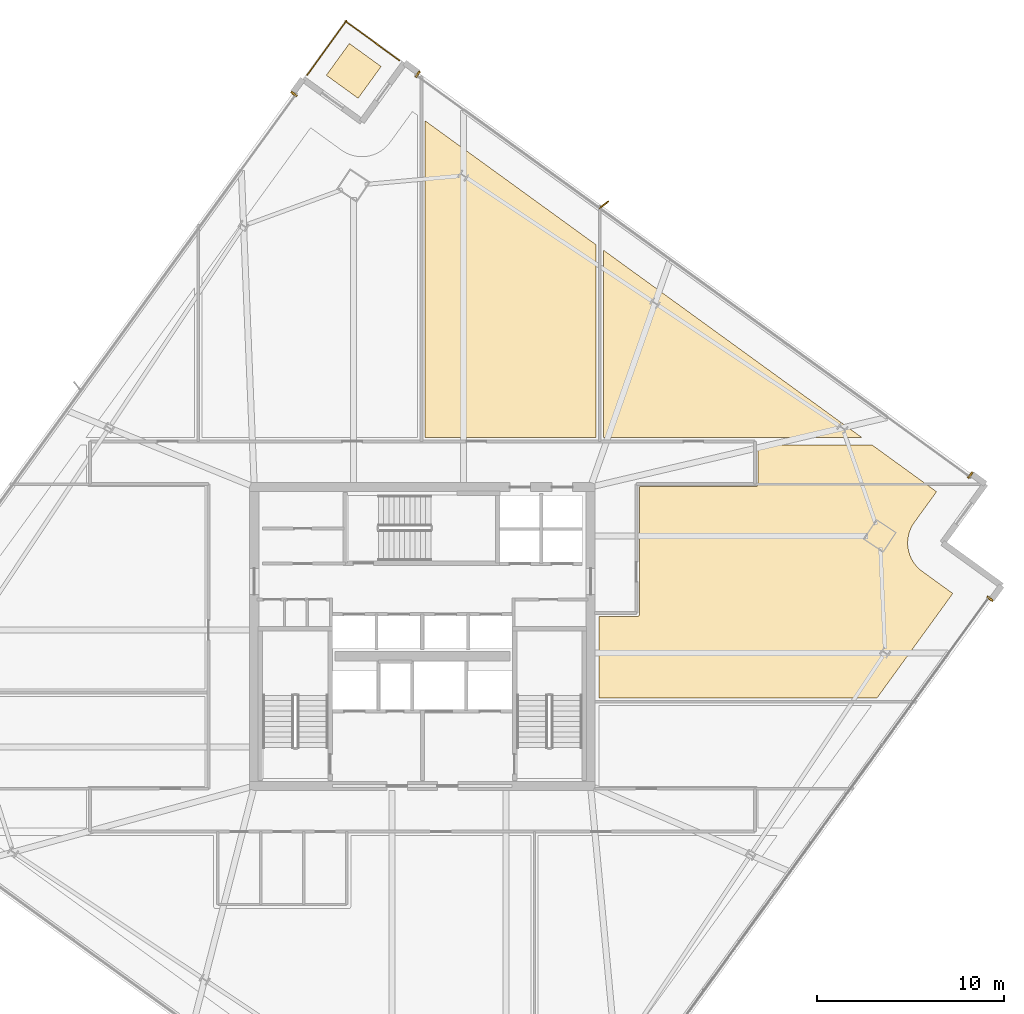
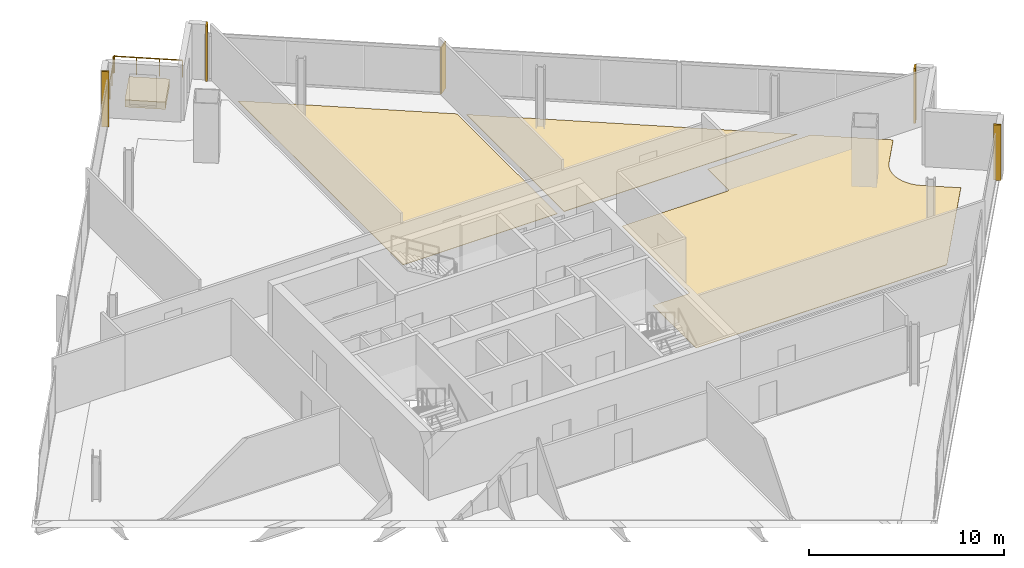
# One storey, part 29 of 29: 8 coverings, 2 railings, 1 shading device.
"""IFC4 building model written with IfcOpenShell, lengths in metres."""

import ifcopenshell
import ifcopenshell.guid

model = None  # the IFC model being written
_history = None  # IfcOwnerHistory: only IFC2X3 demands one
_inside = {}  # id of a spatial element -> (the spatial element, [elements in it])
_under = {}  # id of a project, library or spatial element -> (it, [spatial elements below it])
_declared = {}  # id of a project -> (the project, [libraries it declares])
_typed = {}  # id of a type object -> (the type object, [elements of that type])
_made_of = {}  # id of a material, layer set ... -> (it, [elements and type objects made of it])


def new_model(schema):
    """Start an empty IFC model of exactly this schema.

    Asked for "IFC4X3", IfcOpenShell would pick the latest addendum, in which some entities
    have other attributes; the version numbers below select the first issue.
    IFC2X3 requires an IfcOwnerHistory on every rooted entity: one is made here for all.
    """
    global model, _history
    if schema == "IFC4X3":
        model = ifcopenshell.file(schema_version=(4, 3, 0, 0))
    else:
        model = ifcopenshell.file(schema=schema)
    _inside.clear()
    _under.clear()
    _declared.clear()
    _typed.clear()
    _made_of.clear()
    _history = None
    if model.schema == "IFC2X3":
        org = make("IfcOrganization", Name="unknown")
        user = make(
            "IfcPersonAndOrganization",
            ThePerson=make("IfcPerson", FamilyName="unknown"),
            TheOrganization=org,
        )
        app = make(
            "IfcApplication",
            ApplicationDeveloper=org,
            Version="unknown",
            ApplicationFullName="unknown",
            ApplicationIdentifier="unknown",
        )
        _history = make(
            "IfcOwnerHistory",
            OwningUser=user,
            OwningApplication=app,
            ChangeAction="ADDED",
            CreationDate=0,
        )
    return model


def make(cls, **values):
    """One entity of the class cls with the attributes given. An attribute that is None is left unset."""
    return model.create_entity(
        cls, **{name: value for name, value in values.items() if value is not None}
    )


def rooted(cls, **values):
    """An entity with a GlobalId (a new one), such as an element, a storey or a relation."""
    return make(cls, GlobalId=ifcopenshell.guid.new(), OwnerHistory=_history, **values)


def si_unit(unit_type, name, prefix=None):
    """IfcSIUnit, for example si_unit("LENGTHUNIT", "METRE", prefix="MILLI")."""
    return make("IfcSIUnit", UnitType=unit_type, Prefix=prefix, Name=name)


def assignment(units):
    """IfcUnitAssignment: the units of a project."""
    return None if units is None else make("IfcUnitAssignment", Units=units)


def point(xyz):
    """IfcCartesianPoint."""
    return None if xyz is None else make("IfcCartesianPoint", Coordinates=xyz)


def direction(xyz):
    """IfcDirection."""
    return None if xyz is None else make("IfcDirection", DirectionRatios=xyz)


def frame(location, z_axis=None, x_axis=None):
    """IfcAxis2Placement3D, a coordinate frame: its origin and axes. An axis left out is left unset."""
    return make(
        "IfcAxis2Placement3D",
        Location=point(location),
        Axis=direction(z_axis),
        RefDirection=direction(x_axis),
    )


def frame_2d(location, x_axis=None):
    """IfcAxis2Placement2D, a coordinate frame in the plane: its origin and x axis."""
    return make(
        "IfcAxis2Placement2D", Location=point(location), RefDirection=direction(x_axis)
    )


def origin():
    """The frame at (0, 0, 0) with its axes left unset."""
    return frame((0.0, 0.0, 0.0))


def origin_2d():
    """The frame at (0, 0) in the plane with its x axis left unset."""
    return frame_2d((0.0, 0.0))


def place(relative_to, where):
    """IfcLocalPlacement: puts the frame where relative to a parent placement (None: the world)."""
    return make(
        "IfcLocalPlacement", PlacementRelTo=relative_to, RelativePlacement=where
    )


def context(
    kind, dimensions, precision=None, world=None, true_north=None, identifier=None
):
    """IfcGeometricRepresentationContext, for example the 3D "Model" context."""
    return make(
        "IfcGeometricRepresentationContext",
        ContextIdentifier=identifier,
        ContextType=kind,
        CoordinateSpaceDimension=dimensions,
        Precision=precision,
        WorldCoordinateSystem=world,
        TrueNorth=true_north,
    )


def subcontext(parent, identifier, kind, view, scale=None):
    """IfcGeometricRepresentationSubContext, for example "Body" below "Model"."""
    return make(
        "IfcGeometricRepresentationSubContext",
        ContextIdentifier=identifier,
        ContextType=kind,
        ParentContext=parent,
        TargetScale=scale,
        TargetView=view,
    )


def project(units=None, contexts=None):
    """IfcProject with its units and contexts."""
    return rooted(
        "IfcProject",
        Name="project",
        RepresentationContexts=contexts,
        UnitsInContext=assignment(units),
    )


def spatial(cls, under=None, at=None, **own):
    """A site, building, storey or space (cls), placed at a placement, below another one or the project."""
    s = rooted(cls, ObjectPlacement=at, **own)
    if under is not None:
        _under.setdefault(under.id(), (under, []))[1].append(s)
    return s


def polyline(points):
    """IfcPolyline through the points."""
    return make("IfcPolyline", Points=[point(p) for p in points])


def profile(cls, at=None, kind="AREA", **sizes):
    """A parametric profile (cls). Its sizes go by their IFC names, for example OverallWidth=200.0."""
    return make(cls, ProfileType=kind, Position=at, **sizes)


def rectangle(**sizes):
    """IfcRectangleProfileDef."""
    return profile("IfcRectangleProfileDef", **sizes)


def outline(outer, holes=None, kind="AREA"):
    """IfcArbitraryClosedProfileDef: a profile drawn as a closed curve; with holes, ...WithVoids."""
    if holes is None:
        return make("IfcArbitraryClosedProfileDef", ProfileType=kind, OuterCurve=outer)
    return make(
        "IfcArbitraryProfileDefWithVoids",
        ProfileType=kind,
        OuterCurve=outer,
        InnerCurves=holes,
    )


def extrude(swept, where, along, depth):
    """IfcExtrudedAreaSolid: the profile swept, set in the frame where, extruded along a direction by depth."""
    return make(
        "IfcExtrudedAreaSolid",
        SweptArea=swept,
        Position=where,
        ExtrudedDirection=direction(along),
        Depth=depth,
    )


def shape(context_of_items, identifier, shape_type, items):
    """IfcShapeRepresentation: the items that make up one representation, for example the "Body"."""
    return make(
        "IfcShapeRepresentation",
        ContextOfItems=context_of_items,
        RepresentationIdentifier=identifier,
        RepresentationType=shape_type,
        Items=items,
    )


def source(mapping_origin, context_of_items, identifier, shape_type, items):
    """IfcRepresentationMap: a shape defined once, which mapped items show again and again."""
    return make(
        "IfcRepresentationMap",
        MappingOrigin=mapping_origin,
        MappedRepresentation=shape(context_of_items, identifier, shape_type, items),
    )


def transform(
    local_origin,
    x_axis=None,
    y_axis=None,
    z_axis=None,
    scale=None,
    scale2=None,
    scale3=None,
    uniform=True,
):
    """IfcCartesianTransformationOperator3D, or its non-uniform kind. x_axis, y_axis, z_axis: its Axis1, 2, 3."""
    if uniform:
        return make(
            "IfcCartesianTransformationOperator3D",
            Axis1=direction(x_axis),
            Axis2=direction(y_axis),
            LocalOrigin=point(local_origin),
            Scale=scale,
            Axis3=direction(z_axis),
        )
    return make(
        "IfcCartesianTransformationOperator3DnonUniform",
        Axis1=direction(x_axis),
        Axis2=direction(y_axis),
        LocalOrigin=point(local_origin),
        Scale=scale,
        Axis3=direction(z_axis),
        Scale2=scale2,
        Scale3=scale3,
    )


def mapped(mapping_source, mapping_target):
    """IfcMappedItem: shows the shape of a source again, moved by a transform."""
    return make(
        "IfcMappedItem", MappingSource=mapping_source, MappingTarget=mapping_target
    )


def material(Name=None, Category=None):
    """IfcMaterial."""
    return make("IfcMaterial", Name=Name, Category=Category)


def layer(
    of_material, thickness, ventilated=None, Name=None, Category=None, Priority=None
):
    """IfcMaterialLayer: one layer of a wall or slab, of a material (None: an air gap)."""
    return make(
        "IfcMaterialLayer",
        Material=of_material,
        LayerThickness=thickness,
        IsVentilated=ventilated,
        Name=Name,
        Category=Category,
        Priority=Priority,
    )


def layer_set(layers, Name=None):
    """IfcMaterialLayerSet."""
    return make("IfcMaterialLayerSet", MaterialLayers=layers, LayerSetName=Name)


def made_of(thing, what):
    """Note that an element or type object is made of a material, layer set ...; save() writes the relation."""
    if what is not None:
        _made_of.setdefault(what.id(), (what, []))[1].append(thing)
    return thing


def type_object(cls, material=None, **own):
    """A type object (cls), such as IfcWallType, which elements share."""
    return made_of(rooted(cls, **own), material)


def element(
    cls,
    number,
    at=None,
    inside=None,
    cuts=None,
    type_object=None,
    material=None,
    context=None,
    identifier="Body",
    shape_type=None,
    held_by="IfcProductDefinitionShape",
    body=None,
    shapes=None,
    **own,
):
    """One element of the class cls, such as IfcWall. Its Tag is "e" and its number.

    at: its placement. inside: the storey or other place that contains it. cuts: it is an
    opening in that element (IfcRelVoidsElement). A single representation is given by context,
    identifier, shape_type and body (its items); several are given by shapes. held_by: the class
    of the entity that holds the representations. save() writes the other relations.
    """
    e = rooted(cls, Tag="e%d" % number, ObjectPlacement=at, **own)
    if body is not None:
        shapes = [shape(context, identifier, shape_type, body)]
    if shapes is not None:
        e.Representation = make(held_by, Representations=shapes)
    if inside is not None:
        _inside.setdefault(inside.id(), (inside, []))[1].append(e)
    if cuts is not None:
        rooted(
            "IfcRelVoidsElement", RelatingBuildingElement=cuts, RelatedOpeningElement=e
        )
    if type_object is not None:
        _typed.setdefault(type_object.id(), (type_object, []))[1].append(e)
    return made_of(e, material)


def aggregate(whole, parts):
    """IfcRelAggregates: a whole, such as a stair, and the parts it consists of."""
    return rooted("IfcRelAggregates", RelatingObject=whole, RelatedObjects=parts)


def save(model, path):
    """Write the relations noted so far, then the file.

    IfcRelAggregates (storeys below a building ...), IfcRelContainedInSpatialStructure (elements
    in a storey), IfcRelDefinesByType, IfcRelAssociatesMaterial and IfcRelDeclares: one each for
    every whole, place, type object, material and project.
    """
    for whole, parts in _under.values():
        aggregate(whole, parts)
    for where, things in _inside.values():
        rooted(
            "IfcRelContainedInSpatialStructure",
            RelatedElements=things,
            RelatingStructure=where,
        )
    for kind, things in _typed.values():
        rooted("IfcRelDefinesByType", RelatedObjects=things, RelatingType=kind)
    for what, things in _made_of.values():
        rooted("IfcRelAssociatesMaterial", RelatedObjects=things, RelatingMaterial=what)
    for by, libraries in _declared.values():
        rooted("IfcRelDeclares", RelatingContext=by, RelatedDefinitions=libraries)
    model.write(path)


model = new_model("IFC4")

# Units and contexts
model_context = context("Model", 3, precision=1e-05, world=origin(), true_north=direction((0.0, 1.0)))
body_context = subcontext(model_context, "Body", "Model", "MODEL_VIEW")
ifc_project = project(units=[si_unit("LENGTHUNIT", "METRE"), si_unit("AREAUNIT", "SQUARE_METRE"), si_unit("VOLUMEUNIT", "CUBIC_METRE"), si_unit("PLANEANGLEUNIT", "RADIAN"), si_unit("MASSUNIT", "GRAM", prefix="KILO")], contexts=[model_context])

# Site, building, storey
site_placement = place(None, origin())
site = spatial("IfcSite", under=ifc_project, at=site_placement, CompositionType="ELEMENT")
building_placement = place(site_placement, origin())
building = spatial("IfcBuilding", under=site, at=building_placement, Name="Haldenkirk Collegiate Tower", CompositionType="ELEMENT")
storey_placement = place(building_placement, frame((0.0, 0.0, 209.699951171875)))
storey = spatial("IfcBuildingStorey", under=building, at=storey_placement, Name="L52", CompositionType="ELEMENT", Elevation=209.699951171875)

# Coverings
ifc_material_1 = material(Name="Polished collegiate terrazzo", Category="concrete")
ifc_layer_1 = layer(ifc_material_1, 0.02490234375)
ifc_layer_set_1 = layer_set([ifc_layer_1], Name="Polished collegiate terrazzo")
covering_type_1 = type_object("IfcCoveringType", Name="COV-FLOOR-TERRAZZO", PredefinedType="FLOORING", material=ifc_layer_set_1)
covering_1_placement = place(storey_placement, origin())
element("IfcCovering", 1, at=covering_1_placement, inside=storey, type_object=covering_type_1, Name="L52 academic room finish 06", PredefinedType="FLOORING", context=body_context, shape_type="SweptSolid", body=[
    extrude(outline(polyline([(59.520751953125, 36.64990234375), (45.699951171875, 36.64990234375), (45.699951171875, 46.6728515625), (59.520751953125, 36.64990234375)])), origin(), (0.0, 0.0, 1.0), 0.025146484375),
])
covering_2_placement = place(storey_placement, origin())
element("IfcCovering", 2, at=covering_2_placement, inside=storey, type_object=covering_type_1, Name="L52 academic room finish 10", PredefinedType="FLOORING", context=body_context, shape_type="SweptSolid", body=[
    extrude(outline(polyline([(62.329345703125, 32.105712890625), (62.325927734375, 32.1005859375), (62.232177734375, 31.956787109375), (62.226318359375, 31.94677734375), (62.14697265625, 31.79443359375), (62.141845703125, 31.78369140625), (62.077880859375, 31.624267578125), (62.07421875, 31.61328125), (62.02587890625, 31.448486328125), (62.023193359375, 31.43701171875), (61.99169921875, 31.26806640625), (61.989990234375, 31.256591796875), (61.97509765625, 31.08544921875), (61.974609375, 31.073486328125), (61.976318359375, 30.90185546875), (61.97705078125, 30.89013671875), (61.99560546875, 30.719482421875), (61.99755859375, 30.707763671875), (62.032958984375, 30.539794921875), (62.035888671875, 30.5283203125), (62.08740234375, 30.364501953125), (62.091552734375, 30.353515625), (62.158935546875, 30.195556640625), (62.1640625, 30.184814453125), (62.24658203125, 30.0341796875), (62.252685546875, 30.0244140625), (62.349609375, 29.882568359375), (62.35693359375, 29.873291015625), (62.46728515625, 29.74169921875), (62.475341796875, 29.73291015625), (62.597900390625, 29.61279296875), (62.606689453125, 29.60498046875), (62.740478515625, 29.49755859375), (62.745361328125, 29.493896484375), (64.388671875, 28.302001953125), (60.326171875, 22.699951171875), (45.449951171875, 22.699951171875), (45.449951171875, 27.080078125), (47.5, 27.080078125), (47.51171875, 27.08056640625), (47.5234375, 27.082275390625), (47.534912109375, 27.085205078125), (47.5458984375, 27.089111328125), (47.556640625, 27.09423828125), (47.566650390625, 27.10009765625), (47.576171875, 27.107177734375), (47.5849609375, 27.114990234375), (47.5927734375, 27.123779296875), (47.599853515625, 27.13330078125), (47.605712890625, 27.143310546875), (47.61083984375, 27.154052734375), (47.61474609375, 27.165283203125), (47.61767578125, 27.176513671875), (47.619384765625, 27.188232421875), (47.6201171875, 27.199951171875), (47.6201171875, 34.030029296875), (53.85009765625, 34.030029296875), (53.86181640625, 34.030517578125), (53.873291015625, 34.0322265625), (53.884765625, 34.03515625), (53.89599609375, 34.0390625), (53.906494140625, 34.044189453125), (53.916748046875, 34.05029296875), (53.926025390625, 34.05712890625), (53.934814453125, 34.065185546875), (53.94287109375, 34.073974609375), (53.94970703125, 34.083251953125), (53.955810546875, 34.093505859375), (53.9609375, 34.10400390625), (53.96484375, 34.115234375), (53.9677734375, 34.126708984375), (53.969482421875, 34.13818359375), (53.969970703125, 34.14990234375), (53.969970703125, 36.25), (60.072265625, 36.25), (63.52099609375, 33.748779296875), (62.329345703125, 32.105712890625)])), origin(), (0.0, 0.0, 1.0), 0.025146484375),
])
ifc_material_2 = material(Name="Engineered collegiate oak acoustic flooring", Category="wood")
ifc_layer_2 = layer(ifc_material_2, 0.02197265625)
ifc_layer_set_2 = layer_set([ifc_layer_2], Name="Engineered collegiate oak acoustic flooring")
covering_type_2 = type_object("IfcCoveringType", Name="COV-FLOOR-TIMBER", PredefinedType="FLOORING", material=ifc_layer_set_2)
covering_3_placement = place(storey_placement, origin())
element("IfcCovering", 3, at=covering_3_placement, inside=storey, type_object=covering_type_2, Name="L52 academic room finish 05", PredefinedType="FLOORING", context=body_context, shape_type="SweptSolid", body=[
    extrude(outline(polyline([(45.300048828125, 46.962890625), (45.300048828125, 36.64990234375), (36.14990234375, 36.64990234375), (36.14990234375, 53.5986328125), (45.300048828125, 46.962890625)])), origin(), (0.0, 0.0, 1.0), 0.02197265625),
])
ifc_material_3 = material(Name="Precast concrete f'c 40 MPa", Category="concrete")
ifc_layer_3 = layer(ifc_material_3, 0.449951171875)
ifc_layer_set_3 = layer_set([ifc_layer_3], Name="Precast concrete f'c 40 MPa")
covering_type_3 = type_object("IfcCoveringType", Name="COV-PLANTER-450", PredefinedType="USERDEFINED", material=ifc_layer_set_3)
covering_4_placement = place(storey_placement, origin())
element("IfcCovering", 4, at=covering_4_placement, inside=storey, type_object=covering_type_3, Name="L52 planted garden planter bed", ObjectType="PLANTER", PredefinedType="USERDEFINED", context=body_context, shape_type="SweptSolid", body=[
    extrude(outline(polyline([(32.55712890625, 54.808349609375), (30.85693359375, 56.041259765625), (32.08984375, 57.741455078125), (33.7900390625, 56.508544921875), (32.55712890625, 54.808349609375)])), origin(), (0.0, 0.0, 1.0), 0.449951171875),
])

# Railings
ifc_material_4 = material(Name="Anodised architectural bronze aluminium", Category="aluminium")
railing_type = type_object("IfcRailingType", Name="RLG-TERR-BALUSTRADE-1100", PredefinedType="BALUSTRADE", material=ifc_material_4)
railing_1_placement = place(storey_placement, frame((34.752685546875, 56.847900390625, 0.0)))
element("IfcRailing", 5, at=railing_1_placement, inside=storey, type_object=railing_type, Name="L52 terrace guard balustrade 2-1", PredefinedType="BALUSTRADE", context=body_context, shape_type="SweptSolid", body=[
    extrude(rectangle(XDim=0.048095703125, YDim=0.048095703125, at=origin_2d()), frame((0.0, 0.0, 1.076171875), z_axis=(-0.809528608554, 0.587080430548, 0.0), x_axis=(-0.587080430548, -0.809528608554, 0.0)), (0.0, 0.0, 1.0), 3.580078125),
    extrude(rectangle(XDim=0.0419921875, YDim=0.0419921875, at=origin_2d()), origin(), (0.0, 0.0, 1.0), 1.052001953125),
    extrude(rectangle(XDim=0.0419921875, YDim=0.0419921875, at=origin_2d()), frame((-0.966064453125, 0.70068359375, 0.0)), (0.0, 0.0, 1.0), 1.052001953125),
    extrude(rectangle(XDim=0.0419921875, YDim=0.0419921875, at=origin_2d()), frame((-1.93212890625, 1.401123046875, 0.0)), (0.0, 0.0, 1.0), 1.052001953125),
    extrude(rectangle(XDim=0.0419921875, YDim=0.0419921875, at=origin_2d()), frame((-2.898193359375, 2.101806640625, 0.0)), (0.0, 0.0, 1.0), 1.052001953125),
])
railing_2_placement = place(storey_placement, frame((31.938232421875, 58.963134765625, 0.0)))
element("IfcRailing", 6, at=railing_2_placement, inside=storey, type_object=railing_type, Name="L52 terrace guard balustrade 3-1", PredefinedType="BALUSTRADE", context=body_context, shape_type="SweptSolid", body=[
    extrude(rectangle(XDim=0.048095703125, YDim=0.048095703125, at=origin_2d()), frame((0.0, 0.0, 1.076171875), z_axis=(-0.587080430548, -0.809528608554, 0.0), x_axis=(0.809528608554, -0.587080430548, 0.0)), (0.0, 0.0, 1.0), 3.580078125),
    extrude(rectangle(XDim=0.0419921875, YDim=0.0419921875, at=origin_2d()), origin(), (0.0, 0.0, 1.0), 1.052001953125),
    extrude(rectangle(XDim=0.0419921875, YDim=0.0419921875, at=origin_2d()), frame((-0.70068359375, -0.966064453125, 0.0)), (0.0, 0.0, 1.0), 1.052001953125),
    extrude(rectangle(XDim=0.0419921875, YDim=0.0419921875, at=origin_2d()), frame((-1.401123046875, -1.93212890625, 0.0)), (0.0, 0.0, 1.0), 1.052001953125),
    extrude(rectangle(XDim=0.0419921875, YDim=0.0419921875, at=origin_2d()), frame((-2.101806640625, -2.898193359375, 0.0)), (0.0, 0.0, 1.0), 1.052001953125),
])

# Coverings
ifc_layer_4 = layer(ifc_material_4, 0.06005859375)
ifc_layer_set_4 = layer_set([ifc_layer_4], Name="Anodised architectural bronze aluminium")
covering_type_4 = type_object("IfcCoveringType", Name="COV-CLAD-BRONZE-60", PredefinedType="CLADDING", material=ifc_layer_set_4)
shared_shape_1 = source(origin(), body_context, "Body", "SweptSolid", [
    extrude(rectangle(XDim=0.10009765625, YDim=0.3798828125, at=origin_2d()), origin(), (0.0, 0.0, 1.0), 3.469970703125),
])
for number, where, z_axis, x_axis, name in (
    (7, (66.381591796875, 28.01806640625, 0.0), (0.0, 0.0, 1.0), (-0.587079028057, -0.809529625656, 0.0), "L52 recessed curtain-wall bronze jamb closure SJL"),
    (8, (35.746826171875, 56.08984375, 0.0), (0.0, 0.0, 1.0), (0.809529625656, -0.587079028057, 0.0), "L52 recessed curtain-wall bronze jamb closure EJL"),
    (9, (65.3271484375, 34.637939453125, 0.0), (0.0, 0.0, 1.0), (0.809529625656, -0.587079028057, 0.0), "L52 recessed curtain-wall bronze jamb closure EJR"),
    (10, (29.126953125, 55.035400390625, 0.0), (0.0, 0.0, 1.0), (0.587079028057, 0.809529625656, 0.0), "L52 recessed curtain-wall bronze jamb closure NJR"),
):
    element("IfcCovering", number, at=place(storey_placement, frame(where, z_axis=z_axis, x_axis=x_axis)), inside=storey, type_object=covering_type_4, Name=name, PredefinedType="CLADDING", context=body_context, shape_type="MappedRepresentation", body=[
        mapped(shared_shape_1, transform((0.0, 0.0, 0.0), x_axis=(1.0, 0.0, 0.0), y_axis=(0.0, 1.0, 0.0), z_axis=(0.0, 0.0, 1.0), scale=1.0)),
    ])

# Shading device
ifc_layer_5 = layer(ifc_material_4, 0.06494140625)
ifc_layer_set_5 = layer_set([ifc_layer_5], Name="Anodised architectural bronze aluminium")
shading_device_type = type_object("IfcShadingDeviceType", Name="SHD-FIN-BRONZE-620", PredefinedType="USERDEFINED", material=ifc_layer_set_5)
shared_shape_2 = source(origin(), body_context, "Body", "SweptSolid", [
    extrude(rectangle(XDim=0.6201171875, YDim=0.06494140625, at=origin_2d()), origin(), (0.0, 0.0, 1.0), 2.927978515625),
])
shading_device_placement = place(storey_placement, frame((45.71923828125, 49.111083984375, 0.0), z_axis=(0.0, 0.0, 1.0), x_axis=(0.787473187632, 0.616348909921, 0.0)))
element("IfcShadingDevice", 11, at=shading_device_placement, inside=storey, type_object=shading_device_type, Name="L52 folded bronze solar fin 1", ObjectType="FIN", PredefinedType="USERDEFINED", context=body_context, shape_type="MappedRepresentation", body=[
    mapped(shared_shape_2, transform((0.0, 0.0, 0.0), x_axis=(1.0, 0.0, 0.0), y_axis=(0.0, 1.0, 0.0), z_axis=(0.0, 0.0, 1.0), scale=1.0)),
])

save(model, "model.ifc")
